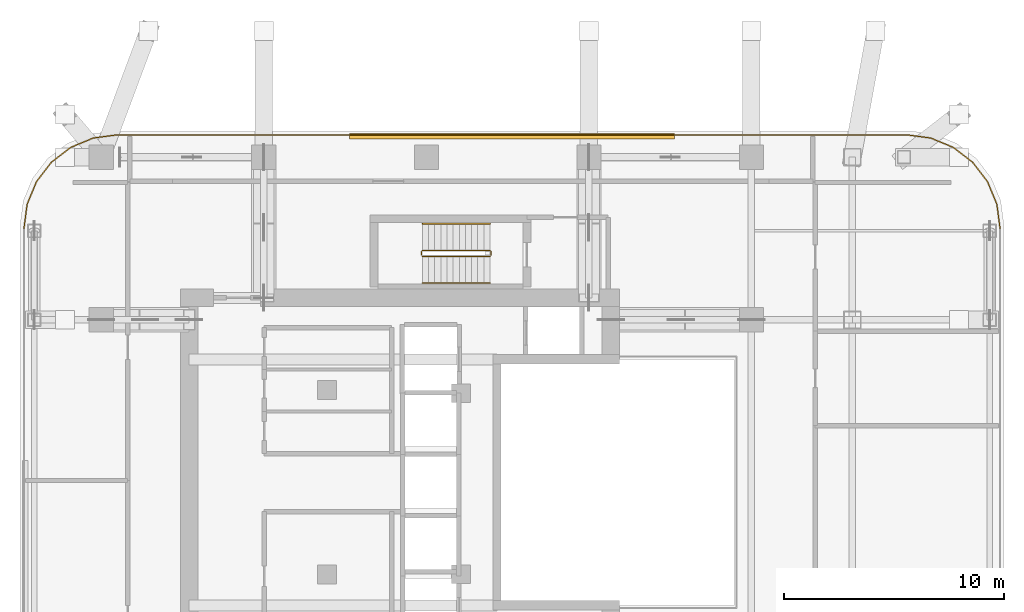
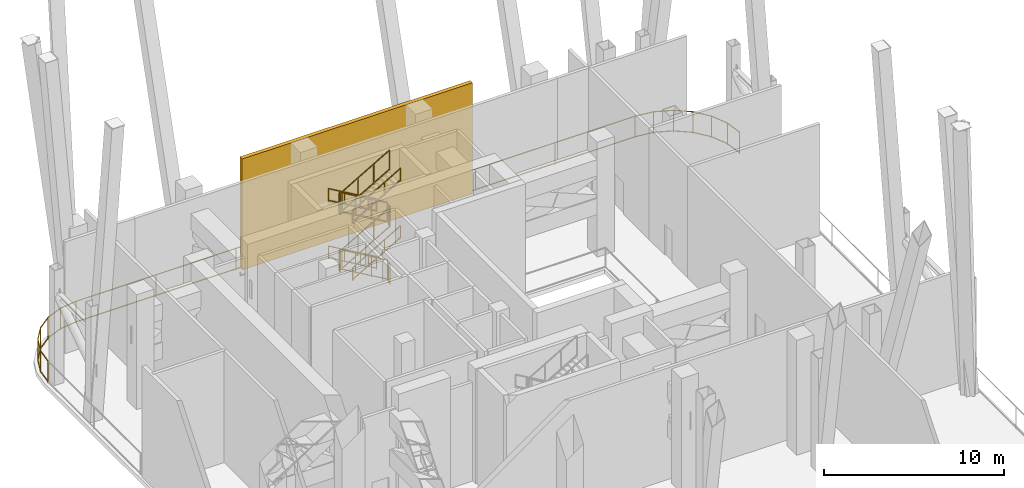
# One storey, part 9 of 9: 25 railings, 1 shading device.
"""IFC4 building model written with IfcOpenShell, lengths in metres."""

from ifc_helpers import new_model, si_unit, direction, frame, origin, origin_2d, place, context, subcontext, project, spatial, rectangle, extrude, material, layer, layer_set, type_object, element, save


model = new_model("IFC4")

# Units and contexts
model_context = context("Model", 3, precision=1e-05, world=origin(), true_north=direction((0.0, 1.0)))
body_context = subcontext(model_context, "Body", "Model", "MODEL_VIEW")
ifc_project = project(units=[si_unit("LENGTHUNIT", "METRE"), si_unit("AREAUNIT", "SQUARE_METRE"), si_unit("VOLUMEUNIT", "CUBIC_METRE"), si_unit("PLANEANGLEUNIT", "RADIAN"), si_unit("MASSUNIT", "GRAM", prefix="KILO")], contexts=[model_context])

# Site, building, storey
site_placement = place(None, origin())
site = spatial("IfcSite", under=ifc_project, at=site_placement, CompositionType="ELEMENT")
building_placement = place(site_placement, origin())
building = spatial("IfcBuilding", under=site, at=building_placement, Name="Khorvyn Point Tower", CompositionType="ELEMENT")
storey_placement = place(building_placement, frame((0.0, 0.0, 235.199951171875)))
storey = spatial("IfcBuildingStorey", under=building, at=storey_placement, Name="L58", CompositionType="ELEMENT", Elevation=235.199951171875)

# Shading device
ifc_material_1 = material(Name="Pale anodised aluminium 6063-T6", Category="aluminium")
ifc_layer = layer(ifc_material_1, 0.25)
ifc_layer_set = layer_set([ifc_layer], Name="Acoustic Hurricane-Louvre Plant Screen")
shading_device_type = type_object("IfcShadingDeviceType", Name="Acoustic Hurricane-Louvre Plant Screen", PredefinedType="JALOUSIE", material=ifc_layer_set)
shading_device_placement = place(storey_placement, frame((3.89990234375, 15.75, 0.02001953125), z_axis=(0.0, 0.0, 1.0), x_axis=(1.0, 0.0, 0.0)))
element("IfcShadingDevice", 1, at=shading_device_placement, inside=storey, type_object=shading_device_type, Name="L58 Acoustic Hurricane Plant Louvre N", PredefinedType="JALOUSIE", context=body_context, shape_type="SweptSolid", body=[
    extrude(rectangle(XDim=14.800048828125, YDim=0.25, at=origin_2d()), origin(), (0.0, 0.0, 1.0), 7.5400390625),
])

# Railings
ifc_material_2 = material(Name="Stainless steel 1.4401", Category="steel")
railing_type_1 = type_object("IfcRailingType", Name="School Terrace Anti-Climb Safety Guardrail 1500", PredefinedType="GUARDRAIL", material=ifc_material_2)
railing_1_placement = place(storey_placement, frame((26.120849609375, 11.55517578125, 0.0)))
element("IfcRailing", 2, at=railing_1_placement, inside=storey, type_object=railing_type_1, Name="L58 Open Wind-Floor Perimeter Guardrail 08", PredefinedType="GUARDRAIL", context=body_context, shape_type="SweptSolid", body=[
    extrude(rectangle(XDim=0.048095703125, YDim=0.048095703125, at=origin_2d()), frame((0.0, 0.0, 1.47607421875), z_axis=(-0.130454512571, 0.991454295543, 0.0), x_axis=(-0.991454295543, -0.130454512571, 0.0)), (0.0, 0.0, 1.0), 1.113525390625),
    extrude(rectangle(XDim=0.048095703125, YDim=0.048095703125, at=origin_2d()), frame((0.0, 0.0, 0.080078125), z_axis=(-0.130454512571, 0.991454295543, 0.0), x_axis=(-0.991454295543, -0.130454512571, 0.0)), (0.0, 0.0, 1.0), 1.113525390625),
    extrude(rectangle(XDim=0.0419921875, YDim=0.0419921875, at=origin_2d()), origin(), (0.0, 0.0, 1.0), 1.451904296875),
    extrude(rectangle(XDim=0.0419921875, YDim=0.0419921875, at=origin_2d()), frame((-0.145263671875, 1.10400390625, 0.0)), (0.0, 0.0, 1.0), 1.451904296875),
])
railing_2_placement = place(storey_placement, frame((25.9755859375, 12.6591796875, 0.0)))
element("IfcRailing", 3, at=railing_2_placement, inside=storey, type_object=railing_type_1, Name="L58 Open Wind-Floor Perimeter Guardrail 09", PredefinedType="GUARDRAIL", context=body_context, shape_type="SweptSolid", body=[
    extrude(rectangle(XDim=0.048095703125, YDim=0.048095703125, at=origin_2d()), frame((0.0, 0.0, 1.47607421875), z_axis=(-0.38277775067, 0.923840458949, 0.0), x_axis=(-0.923840458949, -0.38277775067, 0.0)), (0.0, 0.0, 1.0), 1.113525390625),
    extrude(rectangle(XDim=0.048095703125, YDim=0.048095703125, at=origin_2d()), frame((0.0, 0.0, 0.080078125), z_axis=(-0.38277775067, 0.923840458949, 0.0), x_axis=(-0.923840458949, -0.38277775067, 0.0)), (0.0, 0.0, 1.0), 1.113525390625),
    extrude(rectangle(XDim=0.0419921875, YDim=0.0419921875, at=origin_2d()), origin(), (0.0, 0.0, 1.0), 1.451904296875),
    extrude(rectangle(XDim=0.0419921875, YDim=0.0419921875, at=origin_2d()), frame((-0.42626953125, 1.02880859375, 0.0)), (0.0, 0.0, 1.0), 1.451904296875),
])
railing_3_placement = place(storey_placement, frame((25.54931640625, 13.68798828125, 0.0)))
element("IfcRailing", 4, at=railing_3_placement, inside=storey, type_object=railing_type_1, Name="L58 Open Wind-Floor Perimeter Guardrail 10", PredefinedType="GUARDRAIL", context=body_context, shape_type="SweptSolid", body=[
    extrude(rectangle(XDim=0.048095703125, YDim=0.048095703125, at=origin_2d()), frame((0.0, 0.0, 1.47607421875), z_axis=(-0.608629445327, 0.793454597492, 0.0), x_axis=(-0.793454597492, -0.608629445327, 0.0)), (0.0, 0.0, 1.0), 1.113525390625),
    extrude(rectangle(XDim=0.048095703125, YDim=0.048095703125, at=origin_2d()), frame((0.0, 0.0, 0.080078125), z_axis=(-0.608629445327, 0.793454597492, 0.0), x_axis=(-0.793454597492, -0.608629445327, 0.0)), (0.0, 0.0, 1.0), 1.113525390625),
    extrude(rectangle(XDim=0.0419921875, YDim=0.0419921875, at=origin_2d()), origin(), (0.0, 0.0, 1.0), 1.451904296875),
    extrude(rectangle(XDim=0.0419921875, YDim=0.0419921875, at=origin_2d()), frame((-0.677734375, 0.883544921875, 0.0)), (0.0, 0.0, 1.0), 1.451904296875),
])
railing_4_placement = place(storey_placement, frame((24.87158203125, 14.571533203125, 0.0)))
element("IfcRailing", 5, at=railing_4_placement, inside=storey, type_object=railing_type_1, Name="L58 Open Wind-Floor Perimeter Guardrail 11", PredefinedType="GUARDRAIL", context=body_context, shape_type="SweptSolid", body=[
    extrude(rectangle(XDim=0.048095703125, YDim=0.048095703125, at=origin_2d()), frame((0.0, 0.0, 1.47607421875), z_axis=(-0.793454597492, 0.608629445327, 0.0), x_axis=(-0.608629445327, -0.793454597492, 0.0)), (0.0, 0.0, 1.0), 1.113525390625),
    extrude(rectangle(XDim=0.048095703125, YDim=0.048095703125, at=origin_2d()), frame((0.0, 0.0, 0.080078125), z_axis=(-0.793454597492, 0.608629445327, 0.0), x_axis=(-0.608629445327, -0.793454597492, 0.0)), (0.0, 0.0, 1.0), 1.113525390625),
    extrude(rectangle(XDim=0.0419921875, YDim=0.0419921875, at=origin_2d()), origin(), (0.0, 0.0, 1.0), 1.451904296875),
    extrude(rectangle(XDim=0.0419921875, YDim=0.0419921875, at=origin_2d()), frame((-0.883544921875, 0.677734375, 0.0)), (0.0, 0.0, 1.0), 1.451904296875),
])
railing_5_placement = place(storey_placement, frame((23.988037109375, 15.249267578125, 0.0)))
element("IfcRailing", 6, at=railing_5_placement, inside=storey, type_object=railing_type_1, Name="L58 Open Wind-Floor Perimeter Guardrail 12", PredefinedType="GUARDRAIL", context=body_context, shape_type="SweptSolid", body=[
    extrude(rectangle(XDim=0.048095703125, YDim=0.048095703125, at=origin_2d()), frame((0.0, 0.0, 1.47607421875), z_axis=(-0.923840458949, 0.38277775067, 0.0), x_axis=(-0.38277775067, -0.923840458949, 0.0)), (0.0, 0.0, 1.0), 1.113525390625),
    extrude(rectangle(XDim=0.048095703125, YDim=0.048095703125, at=origin_2d()), frame((0.0, 0.0, 0.080078125), z_axis=(-0.923840458949, 0.38277775067, 0.0), x_axis=(-0.38277775067, -0.923840458949, 0.0)), (0.0, 0.0, 1.0), 1.113525390625),
    extrude(rectangle(XDim=0.0419921875, YDim=0.0419921875, at=origin_2d()), origin(), (0.0, 0.0, 1.0), 1.451904296875),
    extrude(rectangle(XDim=0.0419921875, YDim=0.0419921875, at=origin_2d()), frame((-1.02880859375, 0.42626953125, 0.0)), (0.0, 0.0, 1.0), 1.451904296875),
])
railing_6_placement = place(storey_placement, frame((22.959228515625, 15.675537109375, 0.0)))
element("IfcRailing", 7, at=railing_6_placement, inside=storey, type_object=railing_type_1, Name="L58 Open Wind-Floor Perimeter Guardrail 13", PredefinedType="GUARDRAIL", context=body_context, shape_type="SweptSolid", body=[
    extrude(rectangle(XDim=0.048095703125, YDim=0.048095703125, at=origin_2d()), frame((0.0, 0.0, 1.47607421875), z_axis=(-0.991454295543, 0.130454512571, 0.0), x_axis=(-0.130454512571, -0.991454295543, 0.0)), (0.0, 0.0, 1.0), 1.113525390625),
    extrude(rectangle(XDim=0.048095703125, YDim=0.048095703125, at=origin_2d()), frame((0.0, 0.0, 0.080078125), z_axis=(-0.991454295543, 0.130454512571, 0.0), x_axis=(-0.130454512571, -0.991454295543, 0.0)), (0.0, 0.0, 1.0), 1.113525390625),
    extrude(rectangle(XDim=0.0419921875, YDim=0.0419921875, at=origin_2d()), origin(), (0.0, 0.0, 1.0), 1.451904296875),
    extrude(rectangle(XDim=0.0419921875, YDim=0.0419921875, at=origin_2d()), frame((-1.10400390625, 0.145263671875, 0.0)), (0.0, 0.0, 1.0), 1.451904296875),
])
railing_7_placement = place(storey_placement, frame((21.855224609375, 15.82080078125, 0.0)))
element("IfcRailing", 8, at=railing_7_placement, inside=storey, type_object=railing_type_1, Name="L58 Open Wind-Floor Perimeter Guardrail 14", PredefinedType="GUARDRAIL", context=body_context, shape_type="SweptSolid", body=[
    extrude(rectangle(XDim=0.048095703125, YDim=0.048095703125, at=origin_2d()), frame((0.0, 0.0, 1.47607421875), z_axis=(-1.0, 0.0, 0.0), x_axis=(0.0, -1.0, 0.0)), (0.0, 0.0, 1.0), 35.910400390625),
    extrude(rectangle(XDim=0.048095703125, YDim=0.048095703125, at=origin_2d()), frame((0.0, 0.0, 0.080078125), z_axis=(-1.0, 0.0, 0.0), x_axis=(0.0, -1.0, 0.0)), (0.0, 0.0, 1.0), 35.910400390625),
    extrude(rectangle(XDim=0.0419921875, YDim=0.0419921875, at=origin_2d()), origin(), (0.0, 0.0, 1.0), 1.451904296875),
    extrude(rectangle(XDim=0.0419921875, YDim=0.0419921875, at=origin_2d()), frame((-5.130126953125, 0.0, 0.0)), (0.0, 0.0, 1.0), 1.451904296875),
    extrude(rectangle(XDim=0.0419921875, YDim=0.0419921875, at=origin_2d()), frame((-10.260009765625, 0.0, 0.0)), (0.0, 0.0, 1.0), 1.451904296875),
    extrude(rectangle(XDim=0.0419921875, YDim=0.0419921875, at=origin_2d()), frame((-15.39013671875, 0.0, 0.0)), (0.0, 0.0, 1.0), 1.451904296875),
    extrude(rectangle(XDim=0.0419921875, YDim=0.0419921875, at=origin_2d()), frame((-20.520263671875, 0.0, 0.0)), (0.0, 0.0, 1.0), 1.451904296875),
    extrude(rectangle(XDim=0.0419921875, YDim=0.0419921875, at=origin_2d()), frame((-25.650390625, 0.0, 0.0)), (0.0, 0.0, 1.0), 1.451904296875),
    extrude(rectangle(XDim=0.0419921875, YDim=0.0419921875, at=origin_2d()), frame((-30.7802734375, 0.0, 0.0)), (0.0, 0.0, 1.0), 1.451904296875),
    extrude(rectangle(XDim=0.0419921875, YDim=0.0419921875, at=origin_2d()), frame((-35.910400390625, 0.0, 0.0)), (0.0, 0.0, 1.0), 1.451904296875),
])
railing_8_placement = place(storey_placement, frame((-14.05517578125, 15.82080078125, 0.0)))
element("IfcRailing", 9, at=railing_8_placement, inside=storey, type_object=railing_type_1, Name="L58 Open Wind-Floor Perimeter Guardrail 15", PredefinedType="GUARDRAIL", context=body_context, shape_type="SweptSolid", body=[
    extrude(rectangle(XDim=0.048095703125, YDim=0.048095703125, at=origin_2d()), frame((0.0, 0.0, 1.47607421875), z_axis=(-0.991454295543, -0.130454512571, 0.0), x_axis=(0.130454512571, -0.991454295543, 0.0)), (0.0, 0.0, 1.0), 1.113525390625),
    extrude(rectangle(XDim=0.048095703125, YDim=0.048095703125, at=origin_2d()), frame((0.0, 0.0, 0.080078125), z_axis=(-0.991454295543, -0.130454512571, 0.0), x_axis=(0.130454512571, -0.991454295543, 0.0)), (0.0, 0.0, 1.0), 1.113525390625),
    extrude(rectangle(XDim=0.0419921875, YDim=0.0419921875, at=origin_2d()), origin(), (0.0, 0.0, 1.0), 1.451904296875),
    extrude(rectangle(XDim=0.0419921875, YDim=0.0419921875, at=origin_2d()), frame((-1.10400390625, -0.145263671875, 0.0)), (0.0, 0.0, 1.0), 1.451904296875),
])
railing_9_placement = place(storey_placement, frame((-15.1591796875, 15.675537109375, 0.0)))
element("IfcRailing", 10, at=railing_9_placement, inside=storey, type_object=railing_type_1, Name="L58 Open Wind-Floor Perimeter Guardrail 16", PredefinedType="GUARDRAIL", context=body_context, shape_type="SweptSolid", body=[
    extrude(rectangle(XDim=0.048095703125, YDim=0.048095703125, at=origin_2d()), frame((0.0, 0.0, 1.47607421875), z_axis=(-0.923840458949, -0.38277775067, 0.0), x_axis=(0.38277775067, -0.923840458949, 0.0)), (0.0, 0.0, 1.0), 1.113525390625),
    extrude(rectangle(XDim=0.048095703125, YDim=0.048095703125, at=origin_2d()), frame((0.0, 0.0, 0.080078125), z_axis=(-0.923840458949, -0.38277775067, 0.0), x_axis=(0.38277775067, -0.923840458949, 0.0)), (0.0, 0.0, 1.0), 1.113525390625),
    extrude(rectangle(XDim=0.0419921875, YDim=0.0419921875, at=origin_2d()), origin(), (0.0, 0.0, 1.0), 1.451904296875),
    extrude(rectangle(XDim=0.0419921875, YDim=0.0419921875, at=origin_2d()), frame((-1.02880859375, -0.42626953125, 0.0)), (0.0, 0.0, 1.0), 1.451904296875),
])
railing_10_placement = place(storey_placement, frame((-16.18798828125, 15.249267578125, 0.0)))
element("IfcRailing", 11, at=railing_10_placement, inside=storey, type_object=railing_type_1, Name="L58 Open Wind-Floor Perimeter Guardrail 17", PredefinedType="GUARDRAIL", context=body_context, shape_type="SweptSolid", body=[
    extrude(rectangle(XDim=0.048095703125, YDim=0.048095703125, at=origin_2d()), frame((0.0, 0.0, 1.47607421875), z_axis=(-0.793454597492, -0.608629445327, 0.0), x_axis=(0.608629445327, -0.793454597492, 0.0)), (0.0, 0.0, 1.0), 1.113525390625),
    extrude(rectangle(XDim=0.048095703125, YDim=0.048095703125, at=origin_2d()), frame((0.0, 0.0, 0.080078125), z_axis=(-0.793454597492, -0.608629445327, 0.0), x_axis=(0.608629445327, -0.793454597492, 0.0)), (0.0, 0.0, 1.0), 1.113525390625),
    extrude(rectangle(XDim=0.0419921875, YDim=0.0419921875, at=origin_2d()), origin(), (0.0, 0.0, 1.0), 1.451904296875),
    extrude(rectangle(XDim=0.0419921875, YDim=0.0419921875, at=origin_2d()), frame((-0.883544921875, -0.677734375, 0.0)), (0.0, 0.0, 1.0), 1.451904296875),
])
railing_11_placement = place(storey_placement, frame((-17.071533203125, 14.571533203125, 0.0)))
element("IfcRailing", 12, at=railing_11_placement, inside=storey, type_object=railing_type_1, Name="L58 Open Wind-Floor Perimeter Guardrail 18", PredefinedType="GUARDRAIL", context=body_context, shape_type="SweptSolid", body=[
    extrude(rectangle(XDim=0.048095703125, YDim=0.048095703125, at=origin_2d()), frame((0.0, 0.0, 1.47607421875), z_axis=(-0.608629445327, -0.793454597492, 0.0), x_axis=(0.793454597492, -0.608629445327, 0.0)), (0.0, 0.0, 1.0), 1.113525390625),
    extrude(rectangle(XDim=0.048095703125, YDim=0.048095703125, at=origin_2d()), frame((0.0, 0.0, 0.080078125), z_axis=(-0.608629445327, -0.793454597492, 0.0), x_axis=(0.793454597492, -0.608629445327, 0.0)), (0.0, 0.0, 1.0), 1.113525390625),
    extrude(rectangle(XDim=0.0419921875, YDim=0.0419921875, at=origin_2d()), origin(), (0.0, 0.0, 1.0), 1.451904296875),
    extrude(rectangle(XDim=0.0419921875, YDim=0.0419921875, at=origin_2d()), frame((-0.677734375, -0.883544921875, 0.0)), (0.0, 0.0, 1.0), 1.451904296875),
])
railing_12_placement = place(storey_placement, frame((-17.749267578125, 13.68798828125, 0.0)))
element("IfcRailing", 13, at=railing_12_placement, inside=storey, type_object=railing_type_1, Name="L58 Open Wind-Floor Perimeter Guardrail 19", PredefinedType="GUARDRAIL", context=body_context, shape_type="SweptSolid", body=[
    extrude(rectangle(XDim=0.048095703125, YDim=0.048095703125, at=origin_2d()), frame((0.0, 0.0, 1.47607421875), z_axis=(-0.38277775067, -0.923840458949, 0.0), x_axis=(0.923840458949, -0.38277775067, 0.0)), (0.0, 0.0, 1.0), 1.113525390625),
    extrude(rectangle(XDim=0.048095703125, YDim=0.048095703125, at=origin_2d()), frame((0.0, 0.0, 0.080078125), z_axis=(-0.38277775067, -0.923840458949, 0.0), x_axis=(0.923840458949, -0.38277775067, 0.0)), (0.0, 0.0, 1.0), 1.113525390625),
    extrude(rectangle(XDim=0.0419921875, YDim=0.0419921875, at=origin_2d()), origin(), (0.0, 0.0, 1.0), 1.451904296875),
    extrude(rectangle(XDim=0.0419921875, YDim=0.0419921875, at=origin_2d()), frame((-0.42626953125, -1.02880859375, 0.0)), (0.0, 0.0, 1.0), 1.451904296875),
])
railing_13_placement = place(storey_placement, frame((-18.175537109375, 12.6591796875, 0.0)))
element("IfcRailing", 14, at=railing_13_placement, inside=storey, type_object=railing_type_1, Name="L58 Open Wind-Floor Perimeter Guardrail 20", PredefinedType="GUARDRAIL", context=body_context, shape_type="SweptSolid", body=[
    extrude(rectangle(XDim=0.048095703125, YDim=0.048095703125, at=origin_2d()), frame((0.0, 0.0, 1.47607421875), z_axis=(-0.130454512571, -0.991454295543, 0.0), x_axis=(0.991454295543, -0.130454512571, 0.0)), (0.0, 0.0, 1.0), 1.113525390625),
    extrude(rectangle(XDim=0.048095703125, YDim=0.048095703125, at=origin_2d()), frame((0.0, 0.0, 0.080078125), z_axis=(-0.130454512571, -0.991454295543, 0.0), x_axis=(0.991454295543, -0.130454512571, 0.0)), (0.0, 0.0, 1.0), 1.113525390625),
    extrude(rectangle(XDim=0.0419921875, YDim=0.0419921875, at=origin_2d()), origin(), (0.0, 0.0, 1.0), 1.451904296875),
    extrude(rectangle(XDim=0.0419921875, YDim=0.0419921875, at=origin_2d()), frame((-0.145263671875, -1.10400390625, 0.0)), (0.0, 0.0, 1.0), 1.451904296875),
])
ifc_material_3 = material(Name="Stainless steel 1.4301", Category="steel")
railing_type_2 = type_object("IfcRailingType", Name="Stainless Steel 304 Stair Pitch Handrail 900", PredefinedType="HANDRAIL", material=ifc_material_3)
railing_14_placement = place(storey_placement, frame((2.89990234375, 11.77001953125, 0.16259765625)))
element("IfcRailing", 15, at=railing_14_placement, inside=storey, type_object=railing_type_2, Name="L58 ST-02 stair handrail 1", PredefinedType="HANDRAIL", context=body_context, shape_type="SweptSolid", body=[
    extrude(rectangle(XDim=0.048095703125, YDim=0.048095703125, at=origin_2d()), frame((0.0, 0.0, 0.8759765625), z_axis=(-0.864903211148, 0.0, 0.501938676878), x_axis=(0.0, -1.0, 0.0)), (0.0, 0.0, 1.0), 3.560791015625),
    extrude(rectangle(XDim=0.048095703125, YDim=0.048095703125, at=origin_2d()), frame((0.0, 0.0, 0.080078125), z_axis=(-0.864903211148, 0.0, 0.501938676878), x_axis=(0.0, -1.0, 0.0)), (0.0, 0.0, 1.0), 3.560791015625),
    extrude(rectangle(XDim=0.0419921875, YDim=0.0419921875, at=origin_2d()), origin(), (0.0, 0.0, 1.0), 0.851806640625),
    extrude(rectangle(XDim=0.0419921875, YDim=0.0419921875, at=origin_2d()), frame((-1.026611328125, 0.0, 0.595703125)), (0.0, 0.0, 1.0), 0.851806640625),
    extrude(rectangle(XDim=0.0419921875, YDim=0.0419921875, at=origin_2d()), frame((-2.05322265625, 0.0, 1.191650390625)), (0.0, 0.0, 1.0), 0.851806640625),
    extrude(rectangle(XDim=0.0419921875, YDim=0.0419921875, at=origin_2d()), frame((-3.079833984375, 0.0, 1.787353515625)), (0.0, 0.0, 1.0), 0.851806640625),
])
railing_15_placement = place(storey_placement, frame((-0.179931640625, 9.070068359375, 2.112548828125)))
element("IfcRailing", 16, at=railing_15_placement, inside=storey, type_object=railing_type_2, Name="L58 ST-02 stair handrail 2", PredefinedType="HANDRAIL", context=body_context, shape_type="SweptSolid", body=[
    extrude(rectangle(XDim=0.048095703125, YDim=0.048095703125, at=origin_2d()), frame((0.0, 0.0, 0.8759765625), z_axis=(0.864873446163, 0.0, 0.501989962173), x_axis=(0.0, 1.0, 0.0)), (0.0, 0.0, 1.0), 3.56103515625),
    extrude(rectangle(XDim=0.048095703125, YDim=0.048095703125, at=origin_2d()), frame((0.0, 0.0, 0.080078125), z_axis=(0.864873446163, 0.0, 0.501989962173), x_axis=(0.0, 1.0, 0.0)), (0.0, 0.0, 1.0), 3.56103515625),
    extrude(rectangle(XDim=0.0419921875, YDim=0.0419921875, at=origin_2d()), origin(), (0.0, 0.0, 1.0), 0.851806640625),
    extrude(rectangle(XDim=0.0419921875, YDim=0.0419921875, at=origin_2d()), frame((1.026611328125, 0.0, 0.595947265625)), (0.0, 0.0, 1.0), 0.851806640625),
    extrude(rectangle(XDim=0.0419921875, YDim=0.0419921875, at=origin_2d()), frame((2.05322265625, 0.0, 1.191650390625)), (0.0, 0.0, 1.0), 0.851806640625),
    extrude(rectangle(XDim=0.0419921875, YDim=0.0419921875, at=origin_2d()), frame((3.079833984375, 0.0, 1.78759765625)), (0.0, 0.0, 1.0), 0.851806640625),
])
railing_16_placement = place(storey_placement, frame((2.89990234375, 11.77001953125, 4.0625)))
element("IfcRailing", 17, at=railing_16_placement, inside=storey, type_object=railing_type_2, Name="L58 ST-02 stair handrail 3", PredefinedType="HANDRAIL", context=body_context, shape_type="SweptSolid", body=[
    extrude(rectangle(XDim=0.048095703125, YDim=0.048095703125, at=origin_2d()), frame((0.0, 0.0, 0.8759765625), z_axis=(-0.864873446163, 0.0, 0.501989962173), x_axis=(0.0, -1.0, 0.0)), (0.0, 0.0, 1.0), 3.56103515625),
    extrude(rectangle(XDim=0.048095703125, YDim=0.048095703125, at=origin_2d()), frame((0.0, 0.0, 0.080078125), z_axis=(-0.864873446163, 0.0, 0.501989962173), x_axis=(0.0, -1.0, 0.0)), (0.0, 0.0, 1.0), 3.56103515625),
    extrude(rectangle(XDim=0.0419921875, YDim=0.0419921875, at=origin_2d()), origin(), (0.0, 0.0, 1.0), 0.851806640625),
    extrude(rectangle(XDim=0.0419921875, YDim=0.0419921875, at=origin_2d()), frame((-1.026611328125, 0.0, 0.595947265625)), (0.0, 0.0, 1.0), 0.851806640625),
    extrude(rectangle(XDim=0.0419921875, YDim=0.0419921875, at=origin_2d()), frame((-2.05322265625, 0.0, 1.191650390625)), (0.0, 0.0, 1.0), 0.851806640625),
    extrude(rectangle(XDim=0.0419921875, YDim=0.0419921875, at=origin_2d()), frame((-3.079833984375, 0.0, 1.78759765625)), (0.0, 0.0, 1.0), 0.851806640625),
])
railing_17_placement = place(storey_placement, frame((-0.179931640625, 9.070068359375, 6.012451171875)))
element("IfcRailing", 18, at=railing_17_placement, inside=storey, type_object=railing_type_2, Name="L58 ST-02 stair handrail 4", PredefinedType="HANDRAIL", context=body_context, shape_type="SweptSolid", body=[
    extrude(rectangle(XDim=0.048095703125, YDim=0.048095703125, at=origin_2d()), frame((0.0, 0.0, 0.8759765625), z_axis=(0.864873446163, 0.0, 0.501989962173), x_axis=(0.0, 1.0, 0.0)), (0.0, 0.0, 1.0), 3.56103515625),
    extrude(rectangle(XDim=0.048095703125, YDim=0.048095703125, at=origin_2d()), frame((0.0, 0.0, 0.080078125), z_axis=(0.864873446163, 0.0, 0.501989962173), x_axis=(0.0, 1.0, 0.0)), (0.0, 0.0, 1.0), 3.56103515625),
    extrude(rectangle(XDim=0.0419921875, YDim=0.0419921875, at=origin_2d()), origin(), (0.0, 0.0, 1.0), 0.851806640625),
    extrude(rectangle(XDim=0.0419921875, YDim=0.0419921875, at=origin_2d()), frame((1.026611328125, 0.0, 0.595947265625)), (0.0, 0.0, 1.0), 0.851806640625),
    extrude(rectangle(XDim=0.0419921875, YDim=0.0419921875, at=origin_2d()), frame((2.05322265625, 0.0, 1.191650390625)), (0.0, 0.0, 1.0), 0.851806640625),
    extrude(rectangle(XDim=0.0419921875, YDim=0.0419921875, at=origin_2d()), frame((3.079833984375, 0.0, 1.78759765625)), (0.0, 0.0, 1.0), 0.851806640625),
])
railing_type_3 = type_object("IfcRailingType", Name="Stainless Steel 304 Stair Well Guardrail 1400", PredefinedType="GUARDRAIL", material=ifc_material_3)
railing_18_placement = place(storey_placement, frame((2.89990234375, 10.550048828125, 0.16259765625)))
element("IfcRailing", 19, at=railing_18_placement, inside=storey, type_object=railing_type_3, Name="L58 ST-02 stair guard 1", PredefinedType="GUARDRAIL", context=body_context, shape_type="SweptSolid", body=[
    extrude(rectangle(XDim=0.048095703125, YDim=0.048095703125, at=origin_2d()), frame((0.0, 0.0, 1.3759765625), z_axis=(-0.864903211148, 0.0, 0.501938676878), x_axis=(0.0, -1.0, 0.0)), (0.0, 0.0, 1.0), 3.560791015625),
    extrude(rectangle(XDim=0.048095703125, YDim=0.048095703125, at=origin_2d()), frame((0.0, 0.0, 0.080078125), z_axis=(-0.864903211148, 0.0, 0.501938676878), x_axis=(0.0, -1.0, 0.0)), (0.0, 0.0, 1.0), 3.560791015625),
    extrude(rectangle(XDim=0.0419921875, YDim=0.0419921875, at=origin_2d()), origin(), (0.0, 0.0, 1.0), 1.351806640625),
    extrude(rectangle(XDim=0.0419921875, YDim=0.0419921875, at=origin_2d()), frame((-1.026611328125, 0.0, 0.595703125)), (0.0, 0.0, 1.0), 1.351806640625),
    extrude(rectangle(XDim=0.0419921875, YDim=0.0419921875, at=origin_2d()), frame((-2.05322265625, 0.0, 1.191650390625)), (0.0, 0.0, 1.0), 1.351806640625),
    extrude(rectangle(XDim=0.0419921875, YDim=0.0419921875, at=origin_2d()), frame((-3.079833984375, 0.0, 1.787353515625)), (0.0, 0.0, 1.0), 1.351806640625),
])
railing_19_placement = place(storey_placement, frame((-0.22998046875, 10.5, 1.949951171875)))
element("IfcRailing", 20, at=railing_19_placement, inside=storey, type_object=railing_type_3, Name="L58 ST-02 stair guard 2", PredefinedType="GUARDRAIL", context=body_context, shape_type="SweptSolid", body=[
    extrude(rectangle(XDim=0.048095703125, YDim=0.048095703125, at=origin_2d()), frame((0.0, 0.0, 1.3759765625), z_axis=(0.0, -1.0, 0.0), x_axis=(1.0, 0.0, 0.0)), (0.0, 0.0, 1.0), 0.159912109375),
    extrude(rectangle(XDim=0.048095703125, YDim=0.048095703125, at=origin_2d()), frame((0.0, 0.0, 0.080078125), z_axis=(0.0, -1.0, 0.0), x_axis=(1.0, 0.0, 0.0)), (0.0, 0.0, 1.0), 0.159912109375),
    extrude(rectangle(XDim=0.0419921875, YDim=0.0419921875, at=origin_2d()), origin(), (0.0, 0.0, 1.0), 1.351806640625),
    extrude(rectangle(XDim=0.0419921875, YDim=0.0419921875, at=origin_2d()), frame((0.0, -0.159912109375, 0.0)), (0.0, 0.0, 1.0), 1.351806640625),
])
railing_20_placement = place(storey_placement, frame((-0.179931640625, 10.2900390625, 2.112548828125)))
element("IfcRailing", 21, at=railing_20_placement, inside=storey, type_object=railing_type_3, Name="L58 ST-02 stair guard 3", PredefinedType="GUARDRAIL", context=body_context, shape_type="SweptSolid", body=[
    extrude(rectangle(XDim=0.048095703125, YDim=0.048095703125, at=origin_2d()), frame((0.0, 0.0, 1.3759765625), z_axis=(0.864873446163, 0.0, 0.501989962173), x_axis=(0.0, 1.0, 0.0)), (0.0, 0.0, 1.0), 3.56103515625),
    extrude(rectangle(XDim=0.048095703125, YDim=0.048095703125, at=origin_2d()), frame((0.0, 0.0, 0.080078125), z_axis=(0.864873446163, 0.0, 0.501989962173), x_axis=(0.0, 1.0, 0.0)), (0.0, 0.0, 1.0), 3.56103515625),
    extrude(rectangle(XDim=0.0419921875, YDim=0.0419921875, at=origin_2d()), origin(), (0.0, 0.0, 1.0), 1.351806640625),
    extrude(rectangle(XDim=0.0419921875, YDim=0.0419921875, at=origin_2d()), frame((1.026611328125, 0.0, 0.595947265625)), (0.0, 0.0, 1.0), 1.351806640625),
    extrude(rectangle(XDim=0.0419921875, YDim=0.0419921875, at=origin_2d()), frame((2.05322265625, 0.0, 1.191650390625)), (0.0, 0.0, 1.0), 1.351806640625),
    extrude(rectangle(XDim=0.0419921875, YDim=0.0419921875, at=origin_2d()), frame((3.079833984375, 0.0, 1.78759765625)), (0.0, 0.0, 1.0), 1.351806640625),
])
railing_21_placement = place(storey_placement, frame((2.949951171875, 10.5, 3.900146484375)))
element("IfcRailing", 22, at=railing_21_placement, inside=storey, type_object=railing_type_3, Name="L58 ST-02 stair guard 4", PredefinedType="GUARDRAIL", context=body_context, shape_type="SweptSolid", body=[
    extrude(rectangle(XDim=0.048095703125, YDim=0.048095703125, at=origin_2d()), frame((0.0, 0.0, 1.3759765625), z_axis=(0.0, -1.0, 0.0), x_axis=(1.0, 0.0, 0.0)), (0.0, 0.0, 1.0), 0.159912109375),
    extrude(rectangle(XDim=0.048095703125, YDim=0.048095703125, at=origin_2d()), frame((0.0, 0.0, 0.080078125), z_axis=(0.0, -1.0, 0.0), x_axis=(1.0, 0.0, 0.0)), (0.0, 0.0, 1.0), 0.159912109375),
    extrude(rectangle(XDim=0.0419921875, YDim=0.0419921875, at=origin_2d()), origin(), (0.0, 0.0, 1.0), 1.351806640625),
    extrude(rectangle(XDim=0.0419921875, YDim=0.0419921875, at=origin_2d()), frame((0.0, -0.159912109375, 0.0)), (0.0, 0.0, 1.0), 1.351806640625),
])
railing_22_placement = place(storey_placement, frame((2.89990234375, 10.550048828125, 4.0625)))
element("IfcRailing", 23, at=railing_22_placement, inside=storey, type_object=railing_type_3, Name="L58 ST-02 stair guard 5", PredefinedType="GUARDRAIL", context=body_context, shape_type="SweptSolid", body=[
    extrude(rectangle(XDim=0.048095703125, YDim=0.048095703125, at=origin_2d()), frame((0.0, 0.0, 1.3759765625), z_axis=(-0.864873446163, 0.0, 0.501989962173), x_axis=(0.0, -1.0, 0.0)), (0.0, 0.0, 1.0), 3.56103515625),
    extrude(rectangle(XDim=0.048095703125, YDim=0.048095703125, at=origin_2d()), frame((0.0, 0.0, 0.080078125), z_axis=(-0.864873446163, 0.0, 0.501989962173), x_axis=(0.0, -1.0, 0.0)), (0.0, 0.0, 1.0), 3.56103515625),
    extrude(rectangle(XDim=0.0419921875, YDim=0.0419921875, at=origin_2d()), origin(), (0.0, 0.0, 1.0), 1.351806640625),
    extrude(rectangle(XDim=0.0419921875, YDim=0.0419921875, at=origin_2d()), frame((-1.026611328125, 0.0, 0.595947265625)), (0.0, 0.0, 1.0), 1.351806640625),
    extrude(rectangle(XDim=0.0419921875, YDim=0.0419921875, at=origin_2d()), frame((-2.05322265625, 0.0, 1.191650390625)), (0.0, 0.0, 1.0), 1.351806640625),
    extrude(rectangle(XDim=0.0419921875, YDim=0.0419921875, at=origin_2d()), frame((-3.079833984375, 0.0, 1.78759765625)), (0.0, 0.0, 1.0), 1.351806640625),
])
railing_23_placement = place(storey_placement, frame((-0.22998046875, 10.5, 5.85009765625)))
element("IfcRailing", 24, at=railing_23_placement, inside=storey, type_object=railing_type_3, Name="L58 ST-02 stair guard 6", PredefinedType="GUARDRAIL", context=body_context, shape_type="SweptSolid", body=[
    extrude(rectangle(XDim=0.048095703125, YDim=0.048095703125, at=origin_2d()), frame((0.0, 0.0, 1.3759765625), z_axis=(0.0, -1.0, 0.0), x_axis=(1.0, 0.0, 0.0)), (0.0, 0.0, 1.0), 0.159912109375),
    extrude(rectangle(XDim=0.048095703125, YDim=0.048095703125, at=origin_2d()), frame((0.0, 0.0, 0.080078125), z_axis=(0.0, -1.0, 0.0), x_axis=(1.0, 0.0, 0.0)), (0.0, 0.0, 1.0), 0.159912109375),
    extrude(rectangle(XDim=0.0419921875, YDim=0.0419921875, at=origin_2d()), origin(), (0.0, 0.0, 1.0), 1.351806640625),
    extrude(rectangle(XDim=0.0419921875, YDim=0.0419921875, at=origin_2d()), frame((0.0, -0.159912109375, 0.0)), (0.0, 0.0, 1.0), 1.351806640625),
])
railing_24_placement = place(storey_placement, frame((-0.179931640625, 10.2900390625, 6.012451171875)))
element("IfcRailing", 25, at=railing_24_placement, inside=storey, type_object=railing_type_3, Name="L58 ST-02 stair guard 7", PredefinedType="GUARDRAIL", context=body_context, shape_type="SweptSolid", body=[
    extrude(rectangle(XDim=0.048095703125, YDim=0.048095703125, at=origin_2d()), frame((0.0, 0.0, 1.3759765625), z_axis=(0.864873446163, 0.0, 0.501989962173), x_axis=(0.0, 1.0, 0.0)), (0.0, 0.0, 1.0), 3.56103515625),
    extrude(rectangle(XDim=0.048095703125, YDim=0.048095703125, at=origin_2d()), frame((0.0, 0.0, 0.080078125), z_axis=(0.864873446163, 0.0, 0.501989962173), x_axis=(0.0, 1.0, 0.0)), (0.0, 0.0, 1.0), 3.56103515625),
    extrude(rectangle(XDim=0.0419921875, YDim=0.0419921875, at=origin_2d()), origin(), (0.0, 0.0, 1.0), 1.351806640625),
    extrude(rectangle(XDim=0.0419921875, YDim=0.0419921875, at=origin_2d()), frame((1.026611328125, 0.0, 0.595947265625)), (0.0, 0.0, 1.0), 1.351806640625),
    extrude(rectangle(XDim=0.0419921875, YDim=0.0419921875, at=origin_2d()), frame((2.05322265625, 0.0, 1.191650390625)), (0.0, 0.0, 1.0), 1.351806640625),
    extrude(rectangle(XDim=0.0419921875, YDim=0.0419921875, at=origin_2d()), frame((3.079833984375, 0.0, 1.78759765625)), (0.0, 0.0, 1.0), 1.351806640625),
])
railing_25_placement = place(storey_placement, frame((2.949951171875, 10.5, 0.0)))
element("IfcRailing", 26, at=railing_25_placement, inside=storey, type_object=railing_type_3, Name="L58 ST-02 stair guard 8", PredefinedType="GUARDRAIL", context=body_context, shape_type="SweptSolid", body=[
    extrude(rectangle(XDim=0.048095703125, YDim=0.048095703125, at=origin_2d()), frame((0.0, 0.0, 1.3759765625), z_axis=(0.0, -1.0, 0.0), x_axis=(1.0, 0.0, 0.0)), (0.0, 0.0, 1.0), 0.159912109375),
    extrude(rectangle(XDim=0.048095703125, YDim=0.048095703125, at=origin_2d()), frame((0.0, 0.0, 0.080078125), z_axis=(0.0, -1.0, 0.0), x_axis=(1.0, 0.0, 0.0)), (0.0, 0.0, 1.0), 0.159912109375),
    extrude(rectangle(XDim=0.0419921875, YDim=0.0419921875, at=origin_2d()), origin(), (0.0, 0.0, 1.0), 1.351806640625),
    extrude(rectangle(XDim=0.0419921875, YDim=0.0419921875, at=origin_2d()), frame((0.0, -0.159912109375, 0.0)), (0.0, 0.0, 1.0), 1.351806640625),
])

save(model, "model.ifc")
